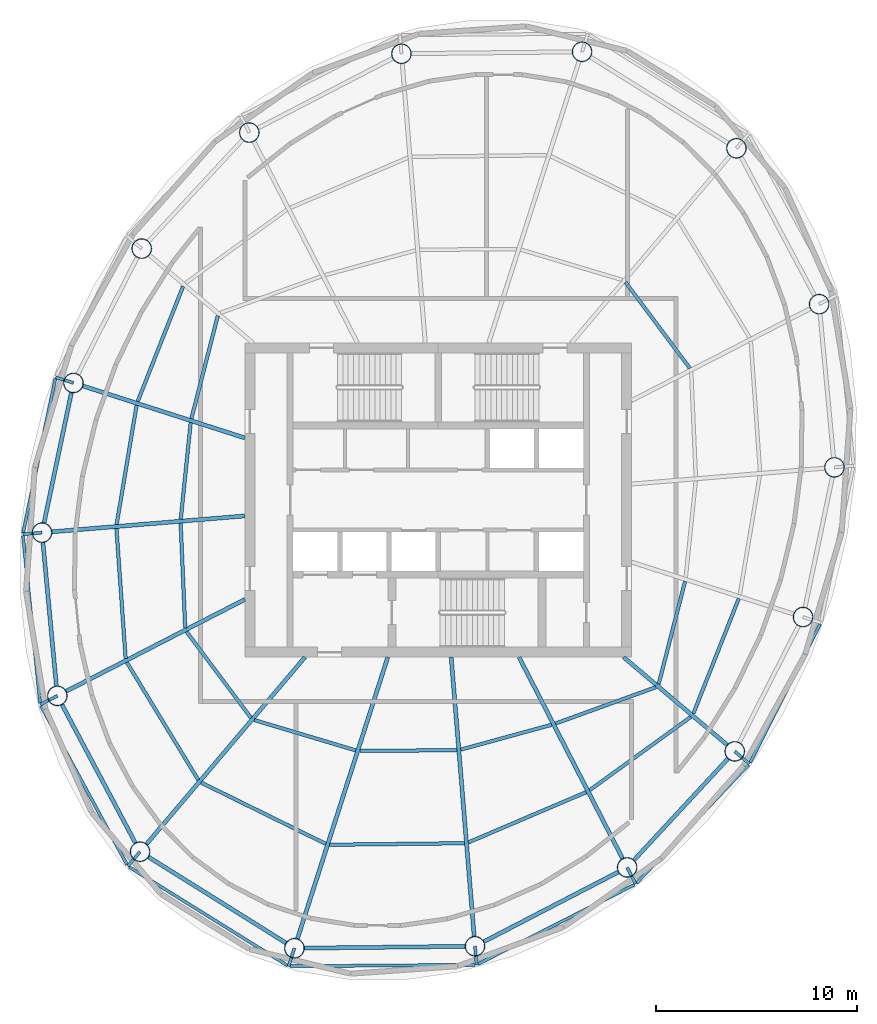
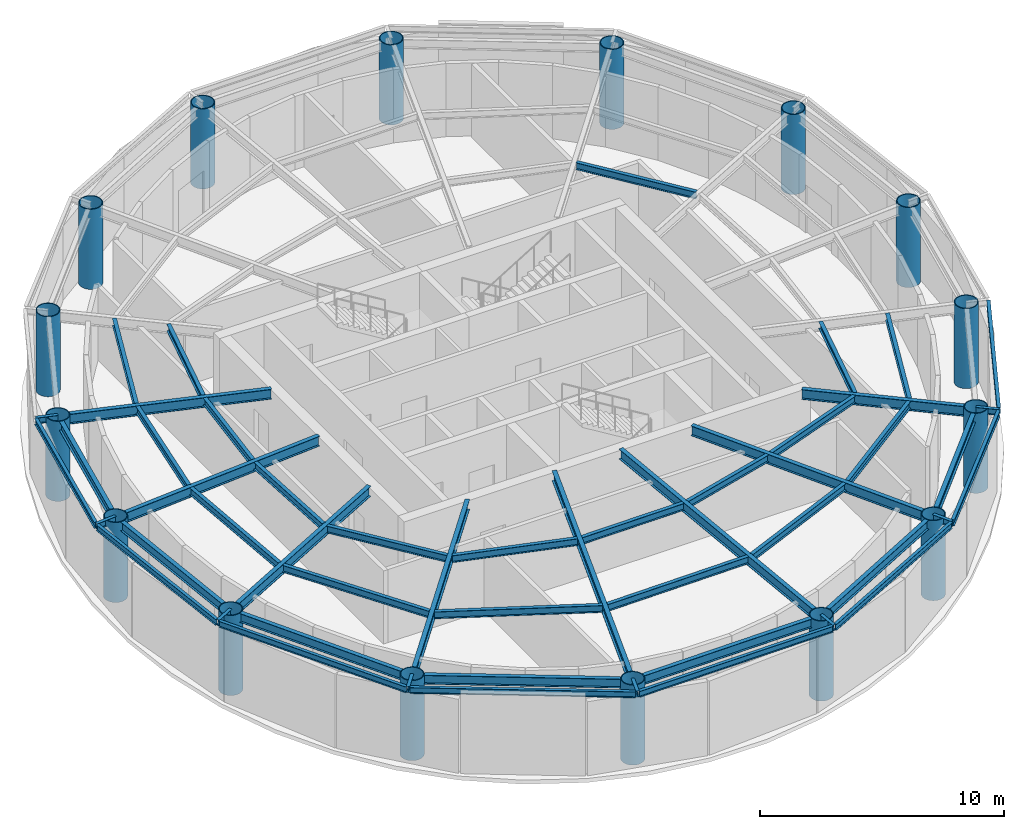
# One storey, part 1 of 6: 50 beams, 16 columns.
"""IFC4 building model written with IfcOpenShell, lengths in metres."""

from ifc_helpers import new_model, si_unit, direction, frame, origin, origin_2d, place, context, subcontext, project, spatial, hollow_circle, i_section, extrude, material, material_profile, profile_set, type_object, element, save


model = new_model("IFC4")

# Units and contexts
model_context = context("Model", 3, precision=1e-05, world=origin(), true_north=direction((0.0, 1.0)))
body_context = subcontext(model_context, "Body", "Model", "MODEL_VIEW")
ifc_project = project(units=[si_unit("LENGTHUNIT", "METRE"), si_unit("AREAUNIT", "SQUARE_METRE"), si_unit("VOLUMEUNIT", "CUBIC_METRE"), si_unit("PLANEANGLEUNIT", "RADIAN"), si_unit("MASSUNIT", "GRAM", prefix="KILO")], contexts=[model_context])

# Site, building, storey
site_placement = place(None, origin())
site = spatial("IfcSite", under=ifc_project, at=site_placement, CompositionType="ELEMENT")
building_placement = place(site_placement, origin())
building = spatial("IfcBuilding", under=site, at=building_placement, Name="Vermilion Reach Broadcast Tower", CompositionType="ELEMENT")
storey_placement = place(building_placement, frame((0.0, 0.0, 304.5)))
storey = spatial("IfcBuildingStorey", under=building, at=storey_placement, Name="L76 CROWN", CompositionType="ELEMENT", Elevation=304.5)

# Columns
ifc_material_1 = material(Name="Concrete C60 infill in steel S460NL tube", Category="concrete")
ifc_material_profile_1 = material_profile(ifc_material_1, hollow_circle(Radius=0.5, WallThickness=0.0400390625, at=origin_2d()), Name="Concrete C60 infill in steel S460NL tube CFT 1000x40")
ifc_profile_set_1 = profile_set([ifc_material_profile_1], Name="Concrete C60 infill in steel S460NL tube")
column_type = type_object("IfcColumnType", Name="MC5 CFT 1000x40", PredefinedType="COLUMN", material=ifc_profile_set_1)
for number, where, z_axis, x_axis, name in (
    (1, (1.138427734375, 22.2470703125, 0.0), (0.0, 0.0, 1.0), (1.0, 0.0, 0.0), "Mega-column MC5-01"),
    (2, (-7.824951171875, 22.1494140625, 0.0), (0.0, 0.0, 1.0), (1.0, 0.0, 0.0), "Mega-column MC5-02"),
    (3, (-15.376953125, 18.23779296875, 0.0), (0.0, 0.0, 1.0), (1.0, 0.0, 0.0), "Mega-column MC5-03"),
    (4, (-20.717529296875, 12.476806640625, 0.0), (0.0, 0.0, 1.0), (1.0, 0.0, 0.0), "Mega-column MC5-04"),
    (5, (-24.10595703125, 5.809814453125, 0.0), (0.0, 0.0, 1.0), (1.0, 0.0, 0.0), "Mega-column MC5-05"),
    (6, (-25.665771484375, -1.620361328125, 0.0), (0.0, 0.0, 1.0), (1.0, 0.0, 0.0), "Mega-column MC5-06"),
    (7, (-24.905517578125, -9.72021484375, 0.0), (0.0, 0.0, 1.0), (1.0, 0.0, 0.0), "Mega-column MC5-07"),
    (8, (-20.799560546875, -17.457275390625, 0.0), (0.0, 0.0, 1.0), (1.0, 0.0, 0.0), "Mega-column MC5-08"),
    (9, (-13.138427734375, -22.2470703125, 0.0), (0.0, 0.0, 1.0), (1.0, 0.0, 0.0), "Mega-column MC5-09"),
    (10, (-4.175048828125, -22.1494140625, 0.0), (0.0, 0.0, 1.0), (1.0, 0.0, 0.0), "Mega-column MC5-10"),
    (11, (3.376953125, -18.23779296875, 0.0), (0.0, 0.0, 1.0), (1.0, 0.0, 0.0), "Mega-column MC5-11"),
    (12, (8.717529296875, -12.476806640625, 0.0), (0.0, 0.0, 1.0), (1.0, 0.0, 0.0), "Mega-column MC5-12"),
    (13, (12.10595703125, -5.809814453125, 0.0), (0.0, 0.0, 1.0), (1.0, 0.0, 0.0), "Mega-column MC5-13"),
    (14, (13.665771484375, 1.620361328125, 0.0), (0.0, 0.0, 1.0), (1.0, 0.0, 0.0), "Mega-column MC5-14"),
    (15, (12.905517578125, 9.72021484375, 0.0), (0.0, 0.0, 1.0), (1.0, 0.0, 0.0), "Mega-column MC5-15"),
    (16, (8.799560546875, 17.457275390625, 0.0), (0.0, 0.0, 1.0), (1.0, 0.0, 0.0), "Mega-column MC5-16"),
):
    element("IfcColumn", number, at=place(storey_placement, frame(where, z_axis=z_axis, x_axis=x_axis)), inside=storey, type_object=column_type, Name=name, PredefinedType="COLUMN", context=body_context, shape_type="SweptSolid", body=[
        extrude(hollow_circle(Radius=0.5, WallThickness=0.0400390625, at=origin_2d()), origin(), (0.0, 0.0, 1.0), 4.0),
    ])

# Beams
ifc_material_2 = material(Name="Steel S355J2", Category="steel")
ifc_material_profile_2 = material_profile(ifc_material_2, i_section(OverallWidth=0.14990234375, OverallDepth=0.300048828125, WebThickness=0.006591796875, FlangeThickness=0.009033203125, at=origin_2d()), Name="S355J2 HN 300x150x6.5x9")
ifc_profile_set_2 = profile_set([ifc_material_profile_2], Name="Steel S355J2")
beam_type_1 = type_object("IfcBeamType", Name="EB5 HN 300x150x6.5x9", PredefinedType="BEAM", material=ifc_profile_set_2)
beam_1_placement = place(storey_placement, frame((-25.00439453125, 6.019287109375, 3.85009765625), z_axis=(-0.204738436734, -0.978816720599, 0.0), x_axis=(0.978816720599, -0.204738436734, 0.0)))
element("IfcBeam", 17, at=beam_1_placement, inside=storey, type_object=beam_type_1, Name="Edge beam EB5-05", PredefinedType="BEAM", context=body_context, shape_type="SweptSolid", body=[
    extrude(i_section(OverallWidth=0.14990234375, OverallDepth=0.300048828125, WebThickness=0.006591796875, FlangeThickness=0.009033203125, at=origin_2d()), origin(), (0.0, 0.0, 1.0), 7.806884765625),
])
beam_2_placement = place(storey_placement, frame((-26.611083984375, -1.7734375, 3.85009765625), z_axis=(0.102011792202, -0.99478318957, 0.0), x_axis=(0.99478318957, 0.102011792202, 0.0)))
element("IfcBeam", 18, at=beam_2_placement, inside=storey, type_object=beam_type_1, Name="Edge beam EB5-06", PredefinedType="BEAM", context=body_context, shape_type="SweptSolid", body=[
    extrude(i_section(OverallWidth=0.14990234375, OverallDepth=0.300048828125, WebThickness=0.006591796875, FlangeThickness=0.009033203125, at=origin_2d()), origin(), (0.0, 0.0, 1.0), 8.34521484375),
])
beam_3_placement = place(storey_placement, frame((-25.7158203125, -10.22119140625, 3.85009765625), z_axis=(0.476526173128, -0.879160284774, 0.0), x_axis=(0.879160284774, 0.476526173128, 0.0)))
element("IfcBeam", 19, at=beam_3_placement, inside=storey, type_object=beam_type_1, Name="Edge beam EB5-07", PredefinedType="BEAM", context=body_context, shape_type="SweptSolid", body=[
    extrude(i_section(OverallWidth=0.14990234375, OverallDepth=0.300048828125, WebThickness=0.006591796875, FlangeThickness=0.009033203125, at=origin_2d()), origin(), (0.0, 0.0, 1.0), 8.9638671875),
])
beam_4_placement = place(storey_placement, frame((-21.341552734375, -18.212646484375, 3.85009765625), z_axis=(0.848928421209, -0.528507838791, 0.0), x_axis=(0.528507838791, 0.848928421209, 0.0)))
element("IfcBeam", 20, at=beam_4_placement, inside=storey, type_object=beam_type_1, Name="Edge beam EB5-08", PredefinedType="BEAM", context=body_context, shape_type="SweptSolid", body=[
    extrude(i_section(OverallWidth=0.14990234375, OverallDepth=0.300048828125, WebThickness=0.006591796875, FlangeThickness=0.009033203125, at=origin_2d()), origin(), (0.0, 0.0, 1.0), 9.24755859375),
])
beam_5_placement = place(storey_placement, frame((-13.346435546875, -23.140380859375, 3.85009765625), z_axis=(0.999971629622, 0.007532592595, 0.0), x_axis=(-0.007532592595, 0.999971629622, 0.0)))
element("IfcBeam", 21, at=beam_5_placement, inside=storey, type_object=beam_type_1, Name="Edge beam EB5-09", PredefinedType="BEAM", context=body_context, shape_type="SweptSolid", body=[
    extrude(i_section(OverallWidth=0.14990234375, OverallDepth=0.300048828125, WebThickness=0.006591796875, FlangeThickness=0.009033203125, at=origin_2d()), origin(), (0.0, 0.0, 1.0), 9.17236328125),
])
beam_6_placement = place(storey_placement, frame((-4.02685546875, -23.033935546875, 3.85009765625), z_axis=(0.891604217889, 0.452815545936, 0.0), x_axis=(-0.452815545936, 0.891604217889, 0.0)))
element("IfcBeam", 22, at=beam_6_placement, inside=storey, type_object=beam_type_1, Name="Edge beam EB5-10", PredefinedType="BEAM", context=body_context, shape_type="SweptSolid", body=[
    extrude(i_section(OverallWidth=0.14990234375, OverallDepth=0.300048828125, WebThickness=0.006591796875, FlangeThickness=0.009033203125, at=origin_2d()), origin(), (0.0, 0.0, 1.0), 8.70263671875),
])
beam_7_placement = place(storey_placement, frame((3.85400390625, -19.001708984375, 3.85009765625), z_axis=(0.687701793008, 0.725993280888, 0.0), x_axis=(-0.725993280888, 0.687701793008, 0.0)))
element("IfcBeam", 23, at=beam_7_placement, inside=storey, type_object=beam_type_1, Name="Edge beam EB5-11", PredefinedType="BEAM", context=body_context, shape_type="SweptSolid", body=[
    extrude(i_section(OverallWidth=0.14990234375, OverallDepth=0.300048828125, WebThickness=0.006591796875, FlangeThickness=0.009033203125, at=origin_2d()), origin(), (0.0, 0.0, 1.0), 8.05908203125),
])
beam_8_placement = place(storey_placement, frame((9.48291015625, -13.02734375, 3.85009765625), z_axis=(0.451232435887, 0.892406459414, 0.0), x_axis=(-0.892406459414, 0.451232435887, 0.0)))
element("IfcBeam", 24, at=beam_8_placement, inside=storey, type_object=beam_type_1, Name="Edge beam EB5-12", PredefinedType="BEAM", context=body_context, shape_type="SweptSolid", body=[
    extrude(i_section(OverallWidth=0.14990234375, OverallDepth=0.300048828125, WebThickness=0.006591796875, FlangeThickness=0.009033203125, at=origin_2d()), origin(), (0.0, 0.0, 1.0), 7.6943359375),
])
ifc_material_3 = material(Name="Steel S355J2", Category="steel")
ifc_material_profile_3 = material_profile(ifc_material_3, i_section(OverallWidth=0.199951171875, OverallDepth=0.5, WebThickness=0.010009765625, FlangeThickness=0.01611328125, at=origin_2d()), Name="S355J2 HN 500x200x10x16")
ifc_profile_set_3 = profile_set([ifc_material_profile_3], Name="Steel S355J2")
beam_type_2 = type_object("IfcBeamType", Name="G5 HN 500x200x10x16", PredefinedType="BEAM", material=ifc_profile_set_3)
beam_9_placement = place(storey_placement, frame((-15.60009765625, 3.080322265625, 3.75), z_axis=(-0.952178453449, 0.305542456604, 0.0), x_axis=(-0.305542456604, -0.952178453449, 0.0)))
element("IfcBeam", 25, at=beam_9_placement, inside=storey, type_object=beam_type_2, Name="Girder G5-05", PredefinedType="BEAM", context=body_context, shape_type="SweptSolid", body=[
    extrude(i_section(OverallWidth=0.199951171875, OverallDepth=0.5, WebThickness=0.010009765625, FlangeThickness=0.01611328125, at=origin_2d()), origin(), (0.0, 0.0, 1.0), 8.43310546875),
])
beam_10_placement = place(storey_placement, frame((-15.60009765625, -0.791015625, 3.75), z_axis=(-0.996624410075, -0.082096195058, 0.0), x_axis=(0.082096195058, -0.996624410075, 0.0)))
element("IfcBeam", 26, at=beam_10_placement, inside=storey, type_object=beam_type_2, Name="Girder G5-06", PredefinedType="BEAM", context=body_context, shape_type="SweptSolid", body=[
    extrude(i_section(OverallWidth=0.199951171875, OverallDepth=0.5, WebThickness=0.010009765625, FlangeThickness=0.01611328125, at=origin_2d()), origin(), (0.0, 0.0, 1.0), 9.599609375),
])
beam_11_placement = place(storey_placement, frame((-15.60009765625, -4.935791015625, 3.75), z_axis=(-0.889332502449, -0.457261085254, 0.0), x_axis=(0.457261085254, -0.889332502449, 0.0)))
element("IfcBeam", 27, at=beam_11_placement, inside=storey, type_object=beam_type_2, Name="Girder G5-07", PredefinedType="BEAM", context=body_context, shape_type="SweptSolid", body=[
    extrude(i_section(OverallWidth=0.199951171875, OverallDepth=0.5, WebThickness=0.010009765625, FlangeThickness=0.01611328125, at=origin_2d()), origin(), (0.0, 0.0, 1.0), 9.96337890625),
])
beam_12_placement = place(storey_placement, frame((-12.612548828125, -7.800048828125, 3.75), z_axis=(-0.646658335602, -0.762779782766, 0.0), x_axis=(0.762779782766, -0.646658335602, 0.0)))
element("IfcBeam", 28, at=beam_12_placement, inside=storey, type_object=beam_type_2, Name="Girder G5-08", PredefinedType="BEAM", context=body_context, shape_type="SweptSolid", body=[
    extrude(i_section(OverallWidth=0.199951171875, OverallDepth=0.5, WebThickness=0.010009765625, FlangeThickness=0.01611328125, at=origin_2d()), origin(), (0.0, 0.0, 1.0), 12.16064453125),
])
beam_13_placement = place(storey_placement, frame((-8.502685546875, -7.800048828125, 3.75), z_axis=(-0.305545401295, -0.952177508528, 0.0), x_axis=(0.952177508528, -0.305545401295, 0.0)))
element("IfcBeam", 29, at=beam_13_placement, inside=storey, type_object=beam_type_2, Name="Girder G5-09", PredefinedType="BEAM", context=body_context, shape_type="SweptSolid", body=[
    extrude(i_section(OverallWidth=0.199951171875, OverallDepth=0.5, WebThickness=0.010009765625, FlangeThickness=0.01611328125, at=origin_2d()), origin(), (0.0, 0.0, 1.0), 14.672607421875),
])
beam_14_placement = place(storey_placement, frame((-5.357421875, -7.800048828125, 3.75), z_axis=(0.082123744247, -0.996622140347, 0.0), x_axis=(0.996622140347, 0.082123744247, 0.0)))
element("IfcBeam", 30, at=beam_14_placement, inside=storey, type_object=beam_type_2, Name="Girder G5-10", PredefinedType="BEAM", context=body_context, shape_type="SweptSolid", body=[
    extrude(i_section(OverallWidth=0.199951171875, OverallDepth=0.5, WebThickness=0.010009765625, FlangeThickness=0.01611328125, at=origin_2d()), origin(), (0.0, 0.0, 1.0), 13.89794921875),
])
beam_15_placement = place(storey_placement, frame((-1.989501953125, -7.800048828125, 3.75), z_axis=(0.457258168112, -0.889334002327, 0.0), x_axis=(0.889334002327, 0.457258168112, 0.0)))
element("IfcBeam", 31, at=beam_15_placement, inside=storey, type_object=beam_type_2, Name="Girder G5-11", PredefinedType="BEAM", context=body_context, shape_type="SweptSolid", body=[
    extrude(i_section(OverallWidth=0.199951171875, OverallDepth=0.5, WebThickness=0.010009765625, FlangeThickness=0.01611328125, at=origin_2d()), origin(), (0.0, 0.0, 1.0), 11.236328125),
])
beam_16_placement = place(storey_placement, frame((3.20068359375, -7.800048828125, 3.75), z_axis=(0.762793125612, -0.646642596431, 0.0), x_axis=(0.646642596431, 0.762793125612, 0.0)))
element("IfcBeam", 32, at=beam_16_placement, inside=storey, type_object=beam_type_2, Name="Girder G5-12", PredefinedType="BEAM", context=body_context, shape_type="SweptSolid", body=[
    extrude(i_section(OverallWidth=0.199951171875, OverallDepth=0.5, WebThickness=0.010009765625, FlangeThickness=0.01611328125, at=origin_2d()), origin(), (0.0, 0.0, 1.0), 6.732421875),
])
ifc_material_4 = material(Name="Steel S355J2", Category="steel")
ifc_material_profile_4 = material_profile(ifc_material_4, i_section(OverallWidth=0.14990234375, OverallDepth=0.300048828125, WebThickness=0.006591796875, FlangeThickness=0.009033203125, at=origin_2d()), Name="S355J2 HN 300x150x6.5x9")
ifc_profile_set_4 = profile_set([ifc_material_profile_4], Name="Steel S355J2")
beam_type_3 = type_object("IfcBeamType", Name="GS5 HN 300x150x6.5x9", PredefinedType="BEAM", material=ifc_profile_set_4)
beam_17_placement = place(storey_placement, frame((-24.10595703125, 5.809814453125, 3.85009765625), z_axis=(-0.952228317443, 0.305387019141, 0.0), x_axis=(-0.305387019141, -0.952228317443, 0.0)))
element("IfcBeam", 33, at=beam_17_placement, inside=storey, type_object=beam_type_3, Name="Cantilever stub GS5-05", PredefinedType="BEAM", context=body_context, shape_type="SweptSolid", body=[
    extrude(i_section(OverallWidth=0.14990234375, OverallDepth=0.300048828125, WebThickness=0.006591796875, FlangeThickness=0.009033203125, at=origin_2d()), origin(), (0.0, 0.0, 1.0), 0.92724609375),
])
beam_18_placement = place(storey_placement, frame((-25.665771484375, -1.620361328125, 3.85009765625), z_axis=(-0.996634988565, -0.081967673925, 0.0), x_axis=(0.081967673925, -0.996634988565, 0.0)))
element("IfcBeam", 34, at=beam_18_placement, inside=storey, type_object=beam_type_3, Name="Cantilever stub GS5-06", PredefinedType="BEAM", context=body_context, shape_type="SweptSolid", body=[
    extrude(i_section(OverallWidth=0.14990234375, OverallDepth=0.300048828125, WebThickness=0.006591796875, FlangeThickness=0.009033203125, at=origin_2d()), origin(), (0.0, 0.0, 1.0), 0.9560546875),
])
beam_19_placement = place(storey_placement, frame((-24.905517578125, -9.72021484375, 3.85009765625), z_axis=(-0.88934146644, -0.457243650662, 0.0), x_axis=(0.457243650662, -0.88934146644, 0.0)))
element("IfcBeam", 35, at=beam_19_placement, inside=storey, type_object=beam_type_3, Name="Cantilever stub GS5-07", PredefinedType="BEAM", context=body_context, shape_type="SweptSolid", body=[
    extrude(i_section(OverallWidth=0.14990234375, OverallDepth=0.300048828125, WebThickness=0.006591796875, FlangeThickness=0.009033203125, at=origin_2d()), origin(), (0.0, 0.0, 1.0), 0.951416015625),
])
beam_20_placement = place(storey_placement, frame((-20.799560546875, -17.457275390625, 3.85009765625), z_axis=(-0.646665495652, -0.762773712665, 0.0), x_axis=(0.762773712665, -0.646665495652, 0.0)))
element("IfcBeam", 36, at=beam_20_placement, inside=storey, type_object=beam_type_3, Name="Cantilever stub GS5-08", PredefinedType="BEAM", context=body_context, shape_type="SweptSolid", body=[
    extrude(i_section(OverallWidth=0.14990234375, OverallDepth=0.300048828125, WebThickness=0.006591796875, FlangeThickness=0.009033203125, at=origin_2d()), origin(), (0.0, 0.0, 1.0), 0.937744140625),
])
beam_21_placement = place(storey_placement, frame((-13.138427734375, -22.2470703125, 3.85009765625), z_axis=(-0.305596628184, -0.95216106875, 0.0), x_axis=(0.95216106875, -0.305596628184, 0.0)))
element("IfcBeam", 37, at=beam_21_placement, inside=storey, type_object=beam_type_3, Name="Cantilever stub GS5-09", PredefinedType="BEAM", context=body_context, shape_type="SweptSolid", body=[
    extrude(i_section(OverallWidth=0.14990234375, OverallDepth=0.300048828125, WebThickness=0.006591796875, FlangeThickness=0.009033203125, at=origin_2d()), origin(), (0.0, 0.0, 1.0), 0.938720703125),
])
beam_22_placement = place(storey_placement, frame((-4.175048828125, -22.1494140625, 3.85009765625), z_axis=(0.082149174093, -0.996620044548, 0.0), x_axis=(0.996620044548, 0.082149174093, 0.0)))
element("IfcBeam", 38, at=beam_22_placement, inside=storey, type_object=beam_type_3, Name="Cantilever stub GS5-10", PredefinedType="BEAM", context=body_context, shape_type="SweptSolid", body=[
    extrude(i_section(OverallWidth=0.14990234375, OverallDepth=0.300048828125, WebThickness=0.006591796875, FlangeThickness=0.009033203125, at=origin_2d()), origin(), (0.0, 0.0, 1.0), 0.92431640625),
])
beam_23_placement = place(storey_placement, frame((3.376953125, -18.23779296875, 3.85009765625), z_axis=(0.457228572872, -0.889349218333, 0.0), x_axis=(0.889349218333, 0.457228572872, 0.0)))
element("IfcBeam", 39, at=beam_23_placement, inside=storey, type_object=beam_type_3, Name="Cantilever stub GS5-11", PredefinedType="BEAM", context=body_context, shape_type="SweptSolid", body=[
    extrude(i_section(OverallWidth=0.14990234375, OverallDepth=0.300048828125, WebThickness=0.006591796875, FlangeThickness=0.009033203125, at=origin_2d()), origin(), (0.0, 0.0, 1.0), 0.923828125),
])
beam_24_placement = place(storey_placement, frame((8.717529296875, -12.476806640625, 3.85009765625), z_axis=(0.762718692688, -0.64673038882, 0.0), x_axis=(0.64673038882, 0.762718692688, 0.0)))
element("IfcBeam", 40, at=beam_24_placement, inside=storey, type_object=beam_type_3, Name="Cantilever stub GS5-12", PredefinedType="BEAM", context=body_context, shape_type="SweptSolid", body=[
    extrude(i_section(OverallWidth=0.14990234375, OverallDepth=0.300048828125, WebThickness=0.006591796875, FlangeThickness=0.009033203125, at=origin_2d()), origin(), (0.0, 0.0, 1.0), 0.957763671875),
])
ifc_material_5 = material(Name="Steel S355J2", Category="steel")
ifc_material_profile_5 = material_profile(ifc_material_5, i_section(OverallWidth=0.199951171875, OverallDepth=0.449951171875, WebThickness=0.009033203125, FlangeThickness=0.013916015625, at=origin_2d()), Name="S355J2 HN 450x200x9x14")
ifc_profile_set_5 = profile_set([ifc_material_profile_5], Name="Steel S355J2")
beam_type_4 = type_object("IfcBeamType", Name="RB5 HN 450x200x9x14", PredefinedType="BEAM", material=ifc_profile_set_5)
beam_25_placement = place(storey_placement, frame((-24.208740234375, 5.3203125, 3.77490234375), z_axis=(-0.205444869285, -0.978668690459, 0.0), x_axis=(0.978668690459, -0.205444869285, 0.0)))
element("IfcBeam", 41, at=beam_25_placement, inside=storey, type_object=beam_type_4, Name="Ring beam RB5-05", PredefinedType="BEAM", context=body_context, shape_type="SweptSolid", body=[
    extrude(i_section(OverallWidth=0.199951171875, OverallDepth=0.449951171875, WebThickness=0.009033203125, FlangeThickness=0.013916015625, at=origin_2d()), origin(), (0.0, 0.0, 1.0), 6.591796875),
])
beam_26_placement = place(storey_placement, frame((-25.618896484375, -2.1181640625, 3.77490234375), z_axis=(0.093441399272, -0.995624781181, 0.0), x_axis=(0.995624781181, 0.093441399272, 0.0)))
element("IfcBeam", 42, at=beam_26_placement, inside=storey, type_object=beam_type_4, Name="Ring beam RB5-06", PredefinedType="BEAM", context=body_context, shape_type="SweptSolid", body=[
    extrude(i_section(OverallWidth=0.199951171875, OverallDepth=0.449951171875, WebThickness=0.009033203125, FlangeThickness=0.013916015625, at=origin_2d()), origin(), (0.0, 0.0, 1.0), 7.135498046875),
])
beam_27_placement = place(storey_placement, frame((-24.671142578125, -10.161865234375, 3.77490234375), z_axis=(0.468767917375, -0.883321368269, 0.0), x_axis=(0.883321368269, 0.468767917375, 0.0)))
element("IfcBeam", 43, at=beam_27_placement, inside=storey, type_object=beam_type_4, Name="Ring beam RB5-07", PredefinedType="BEAM", context=body_context, shape_type="SweptSolid", body=[
    extrude(i_section(OverallWidth=0.199951171875, OverallDepth=0.449951171875, WebThickness=0.009033203125, FlangeThickness=0.013916015625, at=origin_2d()), origin(), (0.0, 0.0, 1.0), 7.759033203125),
])
beam_28_placement = place(storey_placement, frame((-20.375732421875, -17.722412109375, 3.77490234375), z_axis=(0.847914653245, -0.530132757724, 0.0), x_axis=(0.530132757724, 0.847914653245, 0.0)))
element("IfcBeam", 44, at=beam_28_placement, inside=storey, type_object=beam_type_4, Name="Ring beam RB5-08", PredefinedType="BEAM", context=body_context, shape_type="SweptSolid", body=[
    extrude(i_section(OverallWidth=0.199951171875, OverallDepth=0.449951171875, WebThickness=0.009033203125, FlangeThickness=0.013916015625, at=origin_2d()), origin(), (0.0, 0.0, 1.0), 8.035400390625),
])
beam_29_placement = place(storey_placement, frame((-12.638427734375, -22.24169921875, 3.77490234375), z_axis=(0.999940445231, 0.010913569149, 0.0), x_axis=(-0.010913569149, 0.999940445231, 0.0)))
element("IfcBeam", 45, at=beam_29_placement, inside=storey, type_object=beam_type_4, Name="Ring beam RB5-09", PredefinedType="BEAM", context=body_context, shape_type="SweptSolid", body=[
    extrude(i_section(OverallWidth=0.199951171875, OverallDepth=0.449951171875, WebThickness=0.009033203125, FlangeThickness=0.013916015625, at=origin_2d()), origin(), (0.0, 0.0, 1.0), 7.9638671875),
])
beam_30_placement = place(storey_placement, frame((-3.731201171875, -21.91943359375, 3.77490234375), z_axis=(0.887960248279, 0.459920207729, 0.0), x_axis=(-0.459920207729, 0.887960248279, 0.0)))
element("IfcBeam", 46, at=beam_30_placement, inside=storey, type_object=beam_type_4, Name="Ring beam RB5-10", PredefinedType="BEAM", context=body_context, shape_type="SweptSolid", body=[
    extrude(i_section(OverallWidth=0.199951171875, OverallDepth=0.449951171875, WebThickness=0.009033203125, FlangeThickness=0.013916015625, at=origin_2d()), origin(), (0.0, 0.0, 1.0), 7.5048828125),
])
beam_31_placement = place(storey_placement, frame((3.716796875, -17.87109375, 3.77490234375), z_axis=(0.679837550075, 0.733362738014, 0.0), x_axis=(-0.733362738014, 0.679837550075, 0.0)))
element("IfcBeam", 47, at=beam_31_placement, inside=storey, type_object=beam_type_4, Name="Ring beam RB5-11", PredefinedType="BEAM", context=body_context, shape_type="SweptSolid", body=[
    extrude(i_section(OverallWidth=0.199951171875, OverallDepth=0.449951171875, WebThickness=0.009033203125, FlangeThickness=0.013916015625, at=origin_2d()), origin(), (0.0, 0.0, 1.0), 6.85546875),
])
ifc_material_6 = material(Name="Steel S355J2", Category="steel")
ifc_material_profile_6 = material_profile(ifc_material_6, i_section(OverallWidth=0.175048828125, OverallDepth=0.35009765625, WebThickness=0.007080078125, FlangeThickness=0.010986328125, at=origin_2d()), Name="S355J2 HN 350x175x7x11")
ifc_profile_set_6 = profile_set([ifc_material_profile_6], Name="Steel S355J2")
beam_type_5 = type_object("IfcBeamType", Name="SB5 HN 350x175x7x11", PredefinedType="BEAM", material=ifc_profile_set_6)
beam_32_placement = place(storey_placement, frame((-16.940185546875, 9.1435546875, 3.824951171875), z_axis=(-0.248729575729, -0.968572969971, 0.0), x_axis=(0.968572969971, -0.248729575729, 0.0)))
element("IfcBeam", 48, at=beam_32_placement, inside=storey, type_object=beam_type_5, Name="Secondary beam SB5-04-1", PredefinedType="BEAM", context=body_context, shape_type="SweptSolid", body=[
    extrude(i_section(OverallWidth=0.175048828125, OverallDepth=0.35009765625, WebThickness=0.007080078125, FlangeThickness=0.010986328125, at=origin_2d()), origin(), (0.0, 0.0, 1.0), 5.27294921875),
])
beam_33_placement = place(storey_placement, frame((-18.6630859375, 10.604248046875, 3.824951171875), z_axis=(-0.366931189603, -0.930248086317, 0.0), x_axis=(0.930248086317, -0.366931189603, 0.0)))
element("IfcBeam", 49, at=beam_33_placement, inside=storey, type_object=beam_type_5, Name="Secondary beam SB5-04-2", PredefinedType="BEAM", context=body_context, shape_type="SweptSolid", body=[
    extrude(i_section(OverallWidth=0.175048828125, OverallDepth=0.35009765625, WebThickness=0.007080078125, FlangeThickness=0.010986328125, at=origin_2d()), origin(), (0.0, 0.0, 1.0), 6.141357421875),
])
beam_34_placement = place(storey_placement, frame((-18.287109375, 3.837646484375, 3.824951171875), z_axis=(-0.102113775264, -0.994772726255, 0.0), x_axis=(0.994772726255, -0.102113775264, 0.0)))
element("IfcBeam", 50, at=beam_34_placement, inside=storey, type_object=beam_type_5, Name="Secondary beam SB5-05-1", PredefinedType="BEAM", context=body_context, shape_type="SweptSolid", body=[
    extrude(i_section(OverallWidth=0.175048828125, OverallDepth=0.35009765625, WebThickness=0.007080078125, FlangeThickness=0.010986328125, at=origin_2d()), origin(), (0.0, 0.0, 1.0), 4.815185546875),
])
beam_35_placement = place(storey_placement, frame((-20.969970703125, 4.698486328125, 3.824951171875), z_axis=(-0.16532337011, -0.986239414795, 0.0), x_axis=(0.986239414795, -0.16532337011, 0.0)))
element("IfcBeam", 51, at=beam_35_placement, inside=storey, type_object=beam_type_5, Name="Secondary beam SB5-05-2", PredefinedType="BEAM", context=body_context, shape_type="SweptSolid", body=[
    extrude(i_section(OverallWidth=0.175048828125, OverallDepth=0.35009765625, WebThickness=0.007080078125, FlangeThickness=0.010986328125, at=origin_2d()), origin(), (0.0, 0.0, 1.0), 5.99560546875),
])
beam_36_placement = place(storey_placement, frame((-18.78466796875, -1.153564453125, 3.824951171875), z_axis=(0.043557530017, -0.999050920413, 0.0), x_axis=(0.999050920413, 0.043557530017, 0.0)))
element("IfcBeam", 52, at=beam_36_placement, inside=storey, type_object=beam_type_5, Name="Secondary beam SB5-06-1", PredefinedType="BEAM", context=body_context, shape_type="SweptSolid", body=[
    extrude(i_section(OverallWidth=0.175048828125, OverallDepth=0.35009765625, WebThickness=0.007080078125, FlangeThickness=0.010986328125, at=origin_2d()), origin(), (0.0, 0.0, 1.0), 5.19580078125),
])
beam_37_placement = place(storey_placement, frame((-21.97119140625, -1.416259765625, 3.824951171875), z_axis=(0.070586780458, -0.997505642302, 0.0), x_axis=(0.997505642302, 0.070586780458, 0.0)))
element("IfcBeam", 53, at=beam_37_placement, inside=storey, type_object=beam_type_5, Name="Secondary beam SB5-06-2", PredefinedType="BEAM", context=body_context, shape_type="SweptSolid", body=[
    extrude(i_section(OverallWidth=0.175048828125, OverallDepth=0.35009765625, WebThickness=0.007080078125, FlangeThickness=0.010986328125, at=origin_2d()), origin(), (0.0, 0.0, 1.0), 6.46435546875),
])
beam_38_placement = place(storey_placement, frame((-18.492919921875, -6.53564453125, 3.824951171875), z_axis=(0.599055582645, -0.800707442767, 0.0), x_axis=(0.800707442767, 0.599055582645, 0.0)))
element("IfcBeam", 54, at=beam_38_placement, inside=storey, type_object=beam_type_5, Name="Secondary beam SB5-07-1", PredefinedType="BEAM", context=body_context, shape_type="SweptSolid", body=[
    extrude(i_section(OverallWidth=0.175048828125, OverallDepth=0.35009765625, WebThickness=0.007080078125, FlangeThickness=0.010986328125, at=origin_2d()), origin(), (0.0, 0.0, 1.0), 5.337890625),
])
beam_39_placement = place(storey_placement, frame((-21.455078125, -8.058837890625, 3.824951171875), z_axis=(0.519272962556, -0.854608442714, 0.0), x_axis=(0.854608442714, 0.519272962556, 0.0)))
element("IfcBeam", 55, at=beam_39_placement, inside=storey, type_object=beam_type_5, Name="Secondary beam SB5-07-2", PredefinedType="BEAM", context=body_context, shape_type="SweptSolid", body=[
    extrude(i_section(OverallWidth=0.175048828125, OverallDepth=0.35009765625, WebThickness=0.007080078125, FlangeThickness=0.010986328125, at=origin_2d()), origin(), (0.0, 0.0, 1.0), 6.82763671875),
])
beam_40_placement = place(storey_placement, frame((-15.129150390625, -10.92333984375, 3.824951171875), z_axis=(0.958124906971, -0.286350593925, 0.0), x_axis=(0.286350593925, 0.958124906971, 0.0)))
element("IfcBeam", 56, at=beam_40_placement, inside=storey, type_object=beam_type_5, Name="Secondary beam SB5-08-1", PredefinedType="BEAM", context=body_context, shape_type="SweptSolid", body=[
    extrude(i_section(OverallWidth=0.175048828125, OverallDepth=0.35009765625, WebThickness=0.007080078125, FlangeThickness=0.010986328125, at=origin_2d()), origin(), (0.0, 0.0, 1.0), 5.25634765625),
])
beam_41_placement = place(storey_placement, frame((-17.762451171875, -14.029541015625, 3.824951171875), z_axis=(0.897335928087, -0.441348198325, 0.0), x_axis=(0.441348198325, 0.897335928087, 0.0)))
element("IfcBeam", 57, at=beam_41_placement, inside=storey, type_object=beam_type_5, Name="Secondary beam SB5-08-2", PredefinedType="BEAM", context=body_context, shape_type="SweptSolid", body=[
    extrude(i_section(OverallWidth=0.175048828125, OverallDepth=0.35009765625, WebThickness=0.007080078125, FlangeThickness=0.010986328125, at=origin_2d()), origin(), (0.0, 0.0, 1.0), 6.887451171875),
])
beam_42_placement = place(storey_placement, frame((-9.891845703125, -12.4560546875, 3.824951171875), z_axis=(0.999968312294, 0.007960804474, 0.0), x_axis=(-0.007960804474, 0.999968312294, 0.0)))
element("IfcBeam", 58, at=beam_42_placement, inside=storey, type_object=beam_type_5, Name="Secondary beam SB5-09-1", PredefinedType="BEAM", context=body_context, shape_type="SweptSolid", body=[
    extrude(i_section(OverallWidth=0.175048828125, OverallDepth=0.35009765625, WebThickness=0.007080078125, FlangeThickness=0.010986328125, at=origin_2d()), origin(), (0.0, 0.0, 1.0), 4.81494140625),
])
beam_43_placement = place(storey_placement, frame((-11.385986328125, -17.11279296875, 3.824951171875), z_axis=(0.999932654133, 0.011605481368, 0.0), x_axis=(-0.011605481368, 0.999932654133, 0.0)))
element("IfcBeam", 59, at=beam_43_placement, inside=storey, type_object=beam_type_5, Name="Secondary beam SB5-09-2", PredefinedType="BEAM", context=body_context, shape_type="SweptSolid", body=[
    extrude(i_section(OverallWidth=0.175048828125, OverallDepth=0.35009765625, WebThickness=0.007080078125, FlangeThickness=0.010986328125, at=origin_2d()), origin(), (0.0, 0.0, 1.0), 6.689697265625),
])
beam_44_placement = place(storey_placement, frame((-4.87890625, -12.39013671875, 3.824951171875), z_axis=(0.964547496851, 0.263909314573, 0.0), x_axis=(-0.263909314573, 0.964547496851, 0.0)))
element("IfcBeam", 60, at=beam_44_placement, inside=storey, type_object=beam_type_5, Name="Secondary beam SB5-10-1", PredefinedType="BEAM", context=body_context, shape_type="SweptSolid", body=[
    extrude(i_section(OverallWidth=0.175048828125, OverallDepth=0.35009765625, WebThickness=0.007080078125, FlangeThickness=0.010986328125, at=origin_2d()), origin(), (0.0, 0.0, 1.0), 4.6689453125),
])
beam_45_placement = place(storey_placement, frame((-4.49951171875, -16.99267578125, 3.824951171875), z_axis=(0.919880986172, 0.392197617637, 0.0), x_axis=(-0.392197617637, 0.919880986172, 0.0)))
element("IfcBeam", 61, at=beam_45_placement, inside=storey, type_object=beam_type_5, Name="Secondary beam SB5-10-2", PredefinedType="BEAM", context=body_context, shape_type="SweptSolid", body=[
    extrude(i_section(OverallWidth=0.175048828125, OverallDepth=0.35009765625, WebThickness=0.007080078125, FlangeThickness=0.010986328125, at=origin_2d()), origin(), (0.0, 0.0, 1.0), 6.351806640625),
])
beam_46_placement = place(storey_placement, frame((-0.18212890625, -11.0966796875, 3.824951171875), z_axis=(0.940220108875, 0.340567389613, 0.0), x_axis=(-0.340567389613, 0.940220108875, 0.0)))
element("IfcBeam", 62, at=beam_46_placement, inside=storey, type_object=beam_type_5, Name="Secondary beam SB5-11-1", PredefinedType="BEAM", context=body_context, shape_type="SweptSolid", body=[
    extrude(i_section(OverallWidth=0.175048828125, OverallDepth=0.35009765625, WebThickness=0.007080078125, FlangeThickness=0.010986328125, at=origin_2d()), origin(), (0.0, 0.0, 1.0), 5.303466796875),
])
beam_47_placement = place(storey_placement, frame((1.517578125, -14.402587890625, 3.824951171875), z_axis=(0.809771251518, 0.586745703192, 0.0), x_axis=(-0.586745703192, 0.809771251518, 0.0)))
element("IfcBeam", 63, at=beam_47_placement, inside=storey, type_object=beam_type_5, Name="Secondary beam SB5-11-2", PredefinedType="BEAM", context=body_context, shape_type="SweptSolid", body=[
    extrude(i_section(OverallWidth=0.175048828125, OverallDepth=0.35009765625, WebThickness=0.007080078125, FlangeThickness=0.010986328125, at=origin_2d()), origin(), (0.0, 0.0, 1.0), 6.20361328125),
])
beam_48_placement = place(storey_placement, frame((4.940185546875, -9.1435546875, 3.824951171875), z_axis=(0.248729575729, 0.968572969971, 0.0), x_axis=(-0.968572969971, 0.248729575729, 0.0)))
element("IfcBeam", 64, at=beam_48_placement, inside=storey, type_object=beam_type_5, Name="Secondary beam SB5-12-1", PredefinedType="BEAM", context=body_context, shape_type="SweptSolid", body=[
    extrude(i_section(OverallWidth=0.175048828125, OverallDepth=0.35009765625, WebThickness=0.007080078125, FlangeThickness=0.010986328125, at=origin_2d()), origin(), (0.0, 0.0, 1.0), 5.27294921875),
])
beam_49_placement = place(storey_placement, frame((6.6630859375, -10.604248046875, 3.824951171875), z_axis=(0.366931189603, 0.930248086317, 0.0), x_axis=(-0.930248086317, 0.366931189603, 0.0)))
element("IfcBeam", 65, at=beam_49_placement, inside=storey, type_object=beam_type_5, Name="Secondary beam SB5-12-2", PredefinedType="BEAM", context=body_context, shape_type="SweptSolid", body=[
    extrude(i_section(OverallWidth=0.175048828125, OverallDepth=0.35009765625, WebThickness=0.007080078125, FlangeThickness=0.010986328125, at=origin_2d()), origin(), (0.0, 0.0, 1.0), 6.141357421875),
])
beam_50_placement = place(storey_placement, frame((6.492919921875, 6.53564453125, 3.824951171875), z_axis=(-0.599055582645, 0.800707442767, 0.0), x_axis=(-0.800707442767, -0.599055582645, 0.0)))
element("IfcBeam", 66, at=beam_50_placement, inside=storey, type_object=beam_type_5, Name="Secondary beam SB5-15-1", PredefinedType="BEAM", context=body_context, shape_type="SweptSolid", body=[
    extrude(i_section(OverallWidth=0.175048828125, OverallDepth=0.35009765625, WebThickness=0.007080078125, FlangeThickness=0.010986328125, at=origin_2d()), origin(), (0.0, 0.0, 1.0), 5.337890625),
])

save(model, "model.ifc")
